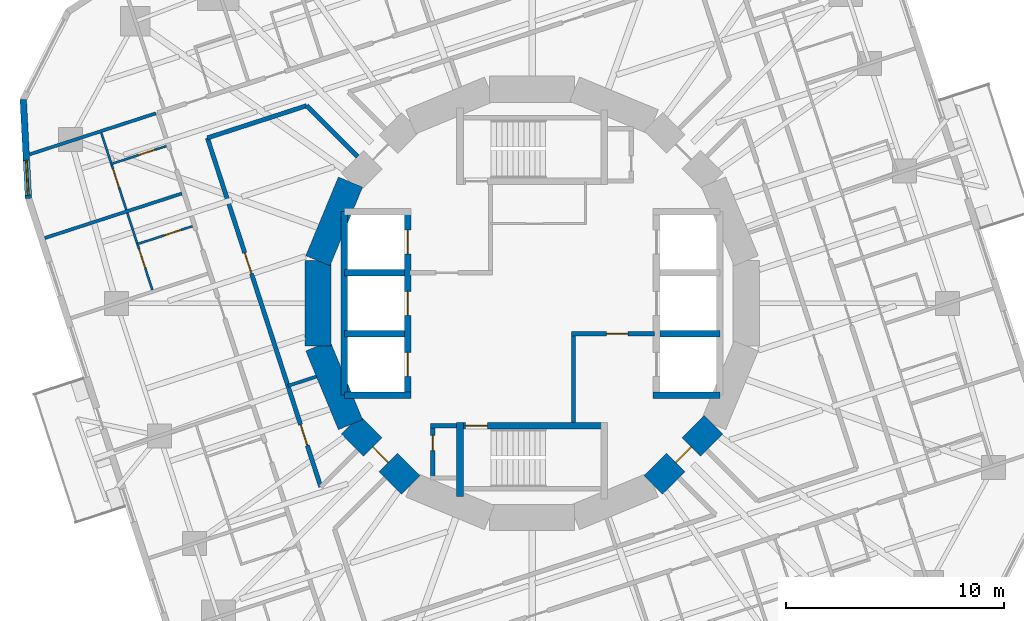
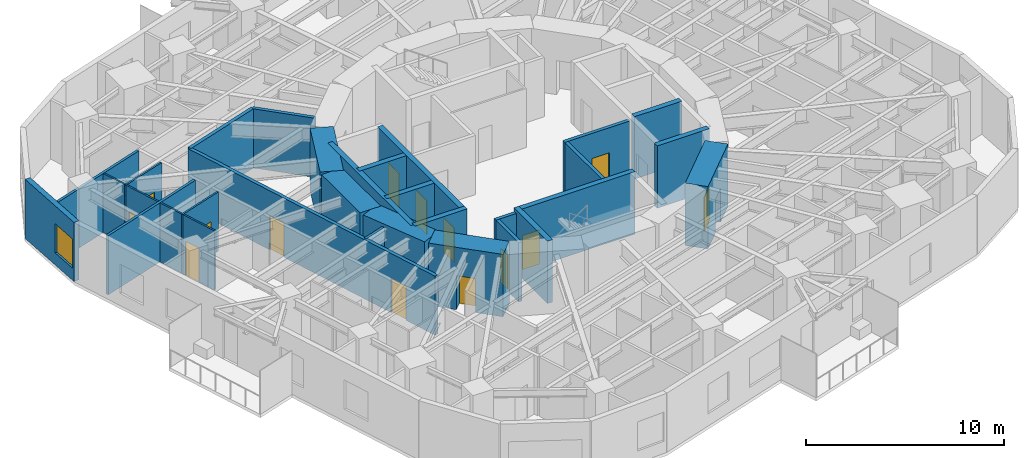
# One storey, part 6 of 12: 31 walls, 14 doors, 1 window, 15 openings.
"""IFC4 building model written with IfcOpenShell, lengths in metres."""

from ifc_helpers import new_model, si_unit, direction, frame, frame_2d, origin, place, context, subcontext, project, spatial, rectangle, extrude, material, layer, layer_set, type_object, element, fill, save


model = new_model("IFC4")

# Units and contexts
model_context = context("Model", 3, precision=1e-05, world=origin(), true_north=direction((0.0, 1.0)))
body_context = subcontext(model_context, "Body", "Model", "MODEL_VIEW")
ifc_project = project(units=[si_unit("LENGTHUNIT", "METRE"), si_unit("AREAUNIT", "SQUARE_METRE"), si_unit("VOLUMEUNIT", "CUBIC_METRE"), si_unit("PLANEANGLEUNIT", "RADIAN"), si_unit("MASSUNIT", "GRAM", prefix="KILO")], contexts=[model_context])

# Site, building, storey
site_placement = place(None, origin())
site = spatial("IfcSite", under=ifc_project, at=site_placement, CompositionType="ELEMENT")
building_placement = place(site_placement, origin())
building = spatial("IfcBuilding", under=site, at=building_placement, Name="Nakasero Lantern House", CompositionType="ELEMENT")
storey_placement = place(building_placement, frame((0.0, 0.0, 149.5)))
storey = spatial("IfcBuildingStorey", under=building, at=storey_placement, Name="L36", CompositionType="ELEMENT", Elevation=149.5)

# Wall, openings, doors
ifc_material_1 = material(Name="Concrete C50/60", Category="concrete")
ifc_layer_1 = layer(ifc_material_1, 0.300048828125)
ifc_layer_set_1 = layer_set([ifc_layer_1], Name="Core inner wall 300")
wall_type_1 = type_object("IfcWallType", Name="Core inner wall 300", PredefinedType="SHEAR", material=ifc_layer_set_1)
wall_1_placement = place(storey_placement, frame((-5.699951171875, -4.199951171875, 0.0), z_axis=(0.0, 0.0, 1.0), x_axis=(0.0, 1.0, 0.0)))
wall_1 = element("IfcWall", 1, at=wall_1_placement, inside=storey, type_object=wall_type_1, Name="Core inner wall L36 LW", PredefinedType="SHEAR", context=body_context, shape_type="SweptSolid", body=[
    extrude(rectangle(XDim=8.39990234375, YDim=0.300048828125, at=frame_2d((4.199951171875, 0.0))), origin(), (0.0, 0.0, 1.0), 3.85009765625),
])
opening_1_placement = place(wall_1_placement, frame((0.85009765625, 0.0, 0.0)))
opening_1 = element("IfcOpeningElement", 2, at=opening_1_placement, cuts=wall_1, Name="Opening LD", PredefinedType="OPENING", context=body_context, shape_type="SweptSolid", body=[
    extrude(rectangle(XDim=1.10009765625, YDim=2.10009765625, at=frame_2d((0.550048828125, 1.050048828125))), frame((0.0, 0.169921875, 0.0), z_axis=(0.0, -1.0, 0.0), x_axis=(1.0, 0.0, 0.0)), (0.0, 0.0, 1.0), 0.340087890625),
])
opening_2_placement = place(wall_1_placement, frame((3.64990234375, 0.0, 0.0)))
opening_2 = element("IfcOpeningElement", 3, at=opening_2_placement, cuts=wall_1, Name="Opening LD", PredefinedType="OPENING", context=body_context, shape_type="SweptSolid", body=[
    extrude(rectangle(XDim=1.10009765625, YDim=2.10009765625, at=frame_2d((0.550048828125, 1.050048828125))), frame((0.0, 0.169921875, 0.0), z_axis=(0.0, -1.0, 0.0), x_axis=(1.0, 0.0, 0.0)), (0.0, 0.0, 1.0), 0.340087890625),
])
opening_3_placement = place(wall_1_placement, frame((6.449951171875, 0.0, 0.0)))
opening_3 = element("IfcOpeningElement", 4, at=opening_3_placement, cuts=wall_1, Name="Opening LD", PredefinedType="OPENING", context=body_context, shape_type="SweptSolid", body=[
    extrude(rectangle(XDim=1.10009765625, YDim=2.10009765625, at=frame_2d((0.550048828125, 1.050048828125))), frame((0.0, 0.169921875, 0.0), z_axis=(0.0, -1.0, 0.0), x_axis=(1.0, 0.0, 0.0)), (0.0, 0.0, 1.0), 0.340087890625),
])
ifc_material_2 = material(Name="Steel S355", Category="steel")
door_type_1 = type_object("IfcDoorType", Name="Lift landing door E120 1100", OperationType="SLIDING_TO_LEFT", PredefinedType="DOOR", material=ifc_material_2)
door_1_placement = place(opening_1_placement, origin())
door_1 = element("IfcDoor", 5, at=door_1_placement, inside=storey, type_object=door_type_1, Name="Lift landing door LW1", OperationType="SLIDING_TO_LEFT", OverallHeight=2.10009765625, OverallWidth=1.10009765625, PredefinedType="DOOR", context=body_context, shape_type="SweptSolid", body=[
    extrude(rectangle(XDim=1.10009765625, YDim=2.10009765625, at=frame_2d((0.550048828125, 1.050048828125))), frame((0.0, 0.02490234375, 0.0), z_axis=(0.0, -1.0, 0.0), x_axis=(1.0, 0.0, 0.0)), (0.0, 0.0, 1.0), 0.050048828125),
])
fill(opening_1, door_1)
door_2_placement = place(opening_2_placement, origin())
door_2 = element("IfcDoor", 6, at=door_2_placement, inside=storey, type_object=door_type_1, Name="Lift landing door LW2", OperationType="SLIDING_TO_LEFT", OverallHeight=2.10009765625, OverallWidth=1.10009765625, PredefinedType="DOOR", context=body_context, shape_type="SweptSolid", body=[
    extrude(rectangle(XDim=1.10009765625, YDim=2.10009765625, at=frame_2d((0.550048828125, 1.050048828125))), frame((0.0, 0.02490234375, 0.0), z_axis=(0.0, -1.0, 0.0), x_axis=(1.0, 0.0, 0.0)), (0.0, 0.0, 1.0), 0.050048828125),
])
fill(opening_2, door_2)
door_3_placement = place(opening_3_placement, origin())
door_3 = element("IfcDoor", 7, at=door_3_placement, inside=storey, type_object=door_type_1, Name="Lift landing door LW3", OperationType="SLIDING_TO_LEFT", OverallHeight=2.10009765625, OverallWidth=1.10009765625, PredefinedType="DOOR", context=body_context, shape_type="SweptSolid", body=[
    extrude(rectangle(XDim=1.10009765625, YDim=2.10009765625, at=frame_2d((0.550048828125, 1.050048828125))), frame((0.0, 0.02490234375, 0.0), z_axis=(0.0, -1.0, 0.0), x_axis=(1.0, 0.0, 0.0)), (0.0, 0.0, 1.0), 0.050048828125),
])
fill(opening_3, door_3)

# Walls
for number, where, z_axis, x_axis, name in (
    (8, (-8.60009765625, -4.199951171875, 0.0), (0.0, 0.0, 1.0), (1.0, 0.0, 0.0), "Core inner wall L36 LWS"),
    (9, (5.550048828125, -4.199951171875, 0.0), (0.0, 0.0, 1.0), (1.0, 0.0, 0.0), "Core inner wall L36 LES"),
):
    element("IfcWall", number, at=place(storey_placement, frame(where, z_axis=z_axis, x_axis=x_axis)), inside=storey, type_object=wall_type_1, Name=name, PredefinedType="SHEAR", context=body_context, shape_type="SweptSolid", body=[
        extrude(rectangle(XDim=3.050048828125, YDim=0.300048828125, at=frame_2d((1.52490234375, 0.0))), origin(), (0.0, 0.0, 1.0), 3.85009765625),
    ])
wall_2_placement = place(storey_placement, frame((-8.60009765625, -4.199951171875, 0.0), z_axis=(0.0, 0.0, 1.0), x_axis=(0.0, 1.0, 0.0)))
element("IfcWall", 10, at=wall_2_placement, inside=storey, type_object=wall_type_1, Name="Core inner wall L36 LWB", PredefinedType="SHEAR", context=body_context, shape_type="SweptSolid", body=[
    extrude(rectangle(XDim=8.39990234375, YDim=0.300048828125, at=frame_2d((4.199951171875, 0.0))), origin(), (0.0, 0.0, 1.0), 3.85009765625),
])
for number, where, z_axis, x_axis, name in (
    (11, (-8.60009765625, -1.39990234375, 0.0), (0.0, 0.0, 1.0), (1.0, 0.0, 0.0), "Core inner wall L36 LW1"),
    (12, (-8.60009765625, 1.39990234375, 0.0), (0.0, 0.0, 1.0), (1.0, 0.0, 0.0), "Core inner wall L36 LW2"),
    (13, (5.85009765625, -1.39990234375, 0.0), (0.0, 0.0, 1.0), (1.0, 0.0, 0.0), "Core inner wall L36 LE1"),
):
    element("IfcWall", number, at=place(storey_placement, frame(where, z_axis=z_axis, x_axis=x_axis)), inside=storey, type_object=wall_type_1, Name=name, PredefinedType="SHEAR", context=body_context, shape_type="SweptSolid", body=[
        extrude(rectangle(XDim=2.75, YDim=0.300048828125, at=frame_2d((1.375, 0.0))), origin(), (0.0, 0.0, 1.0), 3.85009765625),
    ])

# Wall, opening, door
wall_3_placement = place(storey_placement, frame((-3.449951171875, -5.60009765625, 0.0), z_axis=(0.0, 0.0, 1.0), x_axis=(1.0, 0.0, 0.0)))
wall_3 = element("IfcWall", 14, at=wall_3_placement, inside=storey, type_object=wall_type_1, Name="Core inner wall L36 SS", PredefinedType="SHEAR", context=body_context, shape_type="SweptSolid", body=[
    extrude(rectangle(XDim=6.89990234375, YDim=0.300048828125, at=frame_2d((3.449951171875, 0.0))), origin(), (0.0, 0.0, 1.0), 3.85009765625),
])
opening_4_placement = place(wall_3_placement, frame((0.39990234375, 0.0, 0.0)))
opening_4 = element("IfcOpeningElement", 15, at=opening_4_placement, cuts=wall_3, Name="Opening D05", PredefinedType="OPENING", context=body_context, shape_type="SweptSolid", body=[
    extrude(rectangle(XDim=1.0, YDim=2.10009765625, at=frame_2d((0.5, 1.050048828125))), frame((0.0, 0.169921875, 0.0), z_axis=(0.0, -1.0, 0.0), x_axis=(1.0, 0.0, 0.0)), (0.0, 0.0, 1.0), 0.340087890625),
])
ifc_material_3 = material(Name="Timber C24", Category="wood")
door_type_2 = type_object("IfcDoorType", Name="Core door FD60S 1000", OperationType="SINGLE_SWING_LEFT", PredefinedType="DOOR", material=ifc_material_3)
door_4_placement = place(opening_4_placement, origin())
door_4 = element("IfcDoor", 16, at=door_4_placement, inside=storey, type_object=door_type_2, Name="Door L36 D-ST2", OperationType="SINGLE_SWING_LEFT", OverallHeight=2.10009765625, OverallWidth=1.0, PredefinedType="DOOR", context=body_context, shape_type="SweptSolid", body=[
    extrude(rectangle(XDim=1.0, YDim=2.10009765625, at=frame_2d((0.5, 1.050048828125))), frame((0.0, 0.02490234375, 0.0), z_axis=(0.0, -1.0, 0.0), x_axis=(1.0, 0.0, 0.0)), (0.0, 0.0, 1.0), 0.050048828125),
])
fill(opening_4, door_4)

# Walls
wall_4_placement = place(storey_placement, frame((-3.300048828125, -5.449951171875, 0.0), z_axis=(0.0, 0.0, 1.0), x_axis=(0.0, -1.0, 0.0)))
element("IfcWall", 17, at=wall_4_placement, inside=storey, type_object=wall_type_1, Name="Core inner wall L36 SSW", PredefinedType="SHEAR", context=body_context, shape_type="SweptSolid", body=[
    extrude(rectangle(XDim=3.400146484375, YDim=0.300048828125, at=frame_2d((1.7001953125, 0.0))), origin(), (0.0, 0.0, 1.0), 3.85009765625),
])
ifc_material_4 = material(Name="Concrete C50/60", Category="concrete")
ifc_layer_2 = layer(ifc_material_4, 1.199951171875)
ifc_layer_set_2 = layer_set([ifc_layer_2], Name="Core wall 1200")
wall_type_2 = type_object("IfcWallType", Name="Core wall 1200", PredefinedType="SHEAR", material=ifc_layer_set_2)
for number, where, z_axis, x_axis, name in (
    (18, (-8.314697265625, 5.5556640625, 0.0), (0.0, 0.0, 1.0), (-0.382690736062, -0.923876507187, 0.0), "Core wall L36 facet 7"),
    (19, (-9.807861328125, 1.950927734375, 0.0), (0.0, 0.0, 1.0), (0.0, -1.0, 0.0), "Core wall L36 facet 8"),
    (20, (-9.807861328125, -1.950927734375, 0.0), (0.0, 0.0, 1.0), (0.382690736062, -0.923876507187, 0.0), "Core wall L36 facet 9"),
):
    element("IfcWall", number, at=place(storey_placement, frame(where, z_axis=z_axis, x_axis=x_axis)), inside=storey, type_object=wall_type_2, Name=name, PredefinedType="SHEAR", context=body_context, shape_type="SweptSolid", body=[
        extrude(rectangle(XDim=3.90185546875, YDim=1.199951171875, at=frame_2d((1.950927734375, 0.0))), origin(), (0.0, 0.0, 1.0), 3.85009765625),
    ])

# Wall, opening, door
wall_5_placement = place(storey_placement, frame((-8.314697265625, -5.5556640625, 0.0), z_axis=(0.0, 0.0, 1.0), x_axis=(0.707106781187, -0.707106781187, 0.0)))
wall_5 = element("IfcWall", 21, at=wall_5_placement, inside=storey, type_object=wall_type_2, Name="Core wall L36 facet 10", PredefinedType="SHEAR", context=body_context, shape_type="SweptSolid", body=[
    extrude(rectangle(XDim=3.90185546875, YDim=1.199951171875, at=frame_2d((1.950927734375, 0.0))), origin(), (0.0, 0.0, 1.0), 3.85009765625),
])
opening_5_placement = place(wall_5_placement, frame((1.450927734375, 0.0, 0.0)))
opening_5 = element("IfcOpeningElement", 22, at=opening_5_placement, cuts=wall_5, Name="Opening D05", PredefinedType="OPENING", context=body_context, shape_type="SweptSolid", body=[
    extrude(rectangle(XDim=1.0, YDim=2.10009765625, at=frame_2d((0.5, 1.050048828125))), frame((0.0, 0.619873046875, 0.0), z_axis=(0.0, -1.0, 0.0), x_axis=(1.0, 0.0, 0.0)), (0.0, 0.0, 1.0), 1.239990234375),
])
door_5_placement = place(opening_5_placement, origin())
door_5 = element("IfcDoor", 23, at=door_5_placement, inside=storey, type_object=door_type_2, Name="Door L36 D-CORE10", OperationType="SINGLE_SWING_LEFT", OverallHeight=2.10009765625, OverallWidth=1.0, PredefinedType="DOOR", context=body_context, shape_type="SweptSolid", body=[
    extrude(rectangle(XDim=1.0, YDim=2.10009765625, at=frame_2d((0.5, 1.050048828125))), frame((0.0, 0.02490234375, 0.0), z_axis=(0.0, -1.0, 0.0), x_axis=(1.0, 0.0, 0.0)), (0.0, 0.0, 1.0), 0.050048828125),
])
fill(opening_5, door_5)

wall_6_placement = place(storey_placement, frame((5.5556640625, -8.314697265625, 0.0), z_axis=(0.0, 0.0, 1.0), x_axis=(0.707106781187, 0.707106781187, 0.0)))
wall_6 = element("IfcWall", 24, at=wall_6_placement, inside=storey, type_object=wall_type_2, Name="Core wall L36 facet 14", PredefinedType="SHEAR", context=body_context, shape_type="SweptSolid", body=[
    extrude(rectangle(XDim=3.90185546875, YDim=1.199951171875, at=frame_2d((1.950927734375, 0.0))), origin(), (0.0, 0.0, 1.0), 3.85009765625),
])
opening_6_placement = place(wall_6_placement, frame((1.450927734375, 0.0, 0.0)))
opening_6 = element("IfcOpeningElement", 25, at=opening_6_placement, cuts=wall_6, Name="Opening D05", PredefinedType="OPENING", context=body_context, shape_type="SweptSolid", body=[
    extrude(rectangle(XDim=1.0, YDim=2.10009765625, at=frame_2d((0.5, 1.050048828125))), frame((0.0, 0.619873046875, 0.0), z_axis=(0.0, -1.0, 0.0), x_axis=(1.0, 0.0, 0.0)), (0.0, 0.0, 1.0), 1.239990234375),
])
door_6_placement = place(opening_6_placement, origin())
door_6 = element("IfcDoor", 26, at=door_6_placement, inside=storey, type_object=door_type_2, Name="Door L36 D-CORE14", OperationType="SINGLE_SWING_LEFT", OverallHeight=2.10009765625, OverallWidth=1.0, PredefinedType="DOOR", context=body_context, shape_type="SweptSolid", body=[
    extrude(rectangle(XDim=1.0, YDim=2.10009765625, at=frame_2d((0.5, 1.050048828125))), frame((0.0, 0.02490234375, 0.0), z_axis=(0.0, -1.0, 0.0), x_axis=(1.0, 0.0, 0.0)), (0.0, 0.0, 1.0), 0.050048828125),
])
fill(opening_6, door_6)

# Wall
ifc_material_5 = material(Name="Blockwork", Category="masonry")
ifc_layer_3 = layer(ifc_material_5, 0.199951171875)
ifc_layer_set_3 = layer_set([ifc_layer_3], Name="Corridor wall 200")
wall_type_3 = type_object("IfcWallType", Name="Corridor wall 200", PredefinedType="PARTITIONING", material=ifc_layer_set_3)
wall_7_placement = place(storey_placement, frame((-10.3251953125, 9.052490234375, 0.0), z_axis=(0.0, 0.0, 1.0), x_axis=(-0.951057724773, -0.309013275037, 0.0)))
element("IfcWall", 27, at=wall_7_placement, inside=storey, type_object=wall_type_3, Name="Corridor wall L36 IW1-1", PredefinedType="PARTITIONING", context=body_context, shape_type="SweptSolid", body=[
    extrude(rectangle(XDim=4.777587890625, YDim=0.199951171875, at=frame_2d((2.388671875, 0.0))), origin(), (0.0, 0.0, 1.0), 3.64990234375),
])

# Wall, openings, doors
wall_8_placement = place(storey_placement, frame((-14.868896484375, 7.576171875, 0.0), z_axis=(0.0, 0.0, 1.0), x_axis=(0.309013133095, -0.951057770893, 0.0)))
wall_8 = element("IfcWall", 28, at=wall_8_placement, inside=storey, type_object=wall_type_3, Name="Corridor wall L36 IW2-0", PredefinedType="PARTITIONING", context=body_context, shape_type="SweptSolid", body=[
    extrude(rectangle(XDim=16.80224609375, YDim=0.199951171875, at=frame_2d((8.401123046875, 0.0))), origin(), (0.0, 0.0, 1.0), 3.64990234375),
])
opening_7_placement = place(wall_8_placement, frame((13.80859375, 0.0, 0.0)))
opening_7 = element("IfcOpeningElement", 29, at=opening_7_placement, cuts=wall_8, Name="Opening D07", PredefinedType="OPENING", context=body_context, shape_type="SweptSolid", body=[
    extrude(rectangle(XDim=1.0, YDim=2.10009765625, at=frame_2d((0.5, 1.050048828125))), frame((0.0, 0.119873046875, 0.0), z_axis=(0.0, -1.0, 0.0), x_axis=(1.0, 0.0, 0.0)), (0.0, 0.0, 1.0), 0.239990234375),
])
opening_8_placement = place(wall_8_placement, frame((5.532470703125, 0.0, 0.0)))
opening_8 = element("IfcOpeningElement", 30, at=opening_8_placement, cuts=wall_8, Name="Opening D07", PredefinedType="OPENING", context=body_context, shape_type="SweptSolid", body=[
    extrude(rectangle(XDim=1.0, YDim=2.10009765625, at=frame_2d((0.5, 1.050048828125))), frame((0.0, 0.119873046875, 0.0), z_axis=(0.0, -1.0, 0.0), x_axis=(1.0, 0.0, 0.0)), (0.0, 0.0, 1.0), 0.239990234375),
])
ifc_material_6 = material(Name="Timber C24", Category="wood")
door_type_3 = type_object("IfcDoorType", Name="Room door FD30S 1000", OperationType="SINGLE_SWING_LEFT", PredefinedType="DOOR", material=ifc_material_6)
door_7_placement = place(opening_7_placement, origin())
door_7 = element("IfcDoor", 31, at=door_7_placement, inside=storey, type_object=door_type_3, Name="Door L36 DI1", OperationType="SINGLE_SWING_RIGHT", OverallHeight=2.10009765625, OverallWidth=1.0, PredefinedType="DOOR", context=body_context, shape_type="SweptSolid", body=[
    extrude(rectangle(XDim=1.0, YDim=2.10009765625, at=frame_2d((0.5, 1.050048828125))), frame((0.0, 0.02490234375, 0.0), z_axis=(0.0, -1.0, 0.0), x_axis=(1.0, 0.0, 0.0)), (0.0, 0.0, 1.0), 0.050048828125),
])
fill(opening_7, door_7)
door_8_placement = place(opening_8_placement, origin())
door_8 = element("IfcDoor", 32, at=door_8_placement, inside=storey, type_object=door_type_3, Name="Door L36 DI8", OperationType="SINGLE_SWING_LEFT", OverallHeight=2.10009765625, OverallWidth=1.0, PredefinedType="DOOR", context=body_context, shape_type="SweptSolid", body=[
    extrude(rectangle(XDim=1.0, YDim=2.10009765625, at=frame_2d((0.5, 1.050048828125))), frame((0.0, 0.02490234375, 0.0), z_axis=(0.0, -1.0, 0.0), x_axis=(1.0, 0.0, 0.0)), (0.0, 0.0, 1.0), 0.050048828125),
])
fill(opening_8, door_8)

# Wall
wall_9_placement = place(storey_placement, frame((-7.995849609375, 6.72314453125, 0.0), z_axis=(0.0, 0.0, 1.0), x_axis=(-0.707106781187, 0.707106781187, 0.0)))
element("IfcWall", 33, at=wall_9_placement, inside=storey, type_object=wall_type_3, Name="Corridor wall L36 PS06a", PredefinedType="PARTITIONING", context=body_context, shape_type="SweptSolid", body=[
    extrude(rectangle(XDim=3.294189453125, YDim=0.199951171875, at=frame_2d((1.64697265625, 0.0))), origin(), (0.0, 0.0, 1.0), 3.64990234375),
])

# Wall, opening, door
ifc_material_7 = material(Name="Blockwork", Category="masonry")
ifc_layer_4 = layer(ifc_material_7, 0.10009765625)
ifc_layer_set_4 = layer_set([ifc_layer_4], Name="En-suite wall 100")
wall_type_4 = type_object("IfcWallType", Name="En-suite wall 100", PredefinedType="PARTITIONING", material=ifc_layer_set_4)
wall_10_placement = place(storey_placement, frame((-16.745361328125, 7.202880859375, 0.0), z_axis=(0.0, 0.0, 1.0), x_axis=(-0.951069945308, -0.308975661068, 0.0)))
wall_10 = element("IfcWall", 34, at=wall_10_placement, inside=storey, type_object=wall_type_4, Name="En-suite wall L36 ES2-00", PredefinedType="PARTITIONING", context=body_context, shape_type="SweptSolid", body=[
    extrude(rectangle(XDim=2.699951171875, YDim=0.10009765625, at=frame_2d((1.35009765625, 0.0))), origin(), (0.0, 0.0, 1.0), 3.64990234375),
])
opening_9_placement = place(wall_10_placement, frame((0.550048828125, 0.0, 0.0)))
opening_9 = element("IfcOpeningElement", 35, at=opening_9_placement, cuts=wall_10, Name="Opening D02", PredefinedType="OPENING", context=body_context, shape_type="SweptSolid", body=[
    extrude(rectangle(XDim=0.800048828125, YDim=2.10009765625, at=frame_2d((0.39990234375, 1.050048828125))), frame((0.0, 0.070068359375, 0.0), z_axis=(0.0, -1.0, 0.0), x_axis=(1.0, 0.0, 0.0)), (0.0, 0.0, 1.0), 0.14013671875),
])
ifc_material_8 = material(Name="Timber C24", Category="wood")
door_type_4 = type_object("IfcDoorType", Name="En-suite door 800", OperationType="SINGLE_SWING_RIGHT", PredefinedType="DOOR", material=ifc_material_8)
door_9_placement = place(opening_9_placement, origin())
door_9 = element("IfcDoor", 36, at=door_9_placement, inside=storey, type_object=door_type_4, Name="Door L36 DE2-00", OperationType="SINGLE_SWING_LEFT", OverallHeight=2.10009765625, OverallWidth=0.800048828125, PredefinedType="DOOR", context=body_context, shape_type="SweptSolid", body=[
    extrude(rectangle(XDim=0.800048828125, YDim=2.10009765625, at=frame_2d((0.39990234375, 1.050048828125))), frame((0.0, 0.02490234375, 0.0), z_axis=(0.0, -1.0, 0.0), x_axis=(1.0, 0.0, 0.0)), (0.0, 0.0, 1.0), 0.050048828125),
])
fill(opening_9, door_9)

# Wall
wall_11_placement = place(storey_placement, frame((-19.729248046875, 7.810546875, 0.0), z_axis=(0.0, 0.0, 1.0), x_axis=(0.308994689397, -0.951063763333, 0.0)))
element("IfcWall", 37, at=wall_11_placement, inside=storey, type_object=wall_type_4, Name="En-suite wall L36 EE2-00", PredefinedType="PARTITIONING", context=body_context, shape_type="SweptSolid", body=[
    extrude(rectangle(XDim=1.449951171875, YDim=0.10009765625, at=frame_2d((0.72509765625, 0.0))), origin(), (0.0, 0.0, 1.0), 3.64990234375),
])

# Wall, opening, door
wall_12_placement = place(storey_placement, frame((-15.552734375, 3.5322265625, 0.0), z_axis=(0.0, 0.0, 1.0), x_axis=(-0.951069945308, -0.308975661068, 0.0)))
wall_12 = element("IfcWall", 38, at=wall_12_placement, inside=storey, type_object=wall_type_4, Name="En-suite wall L36 ES2-01", PredefinedType="PARTITIONING", context=body_context, shape_type="SweptSolid", body=[
    extrude(rectangle(XDim=2.699951171875, YDim=0.10009765625, at=frame_2d((1.35009765625, 0.0))), origin(), (0.0, 0.0, 1.0), 3.64990234375),
])
opening_10_placement = place(wall_12_placement, frame((0.550048828125, 0.0, 0.0)))
opening_10 = element("IfcOpeningElement", 39, at=opening_10_placement, cuts=wall_12, Name="Opening D02", PredefinedType="OPENING", context=body_context, shape_type="SweptSolid", body=[
    extrude(rectangle(XDim=0.800048828125, YDim=2.10009765625, at=frame_2d((0.39990234375, 1.050048828125))), frame((0.0, 0.070068359375, 0.0), z_axis=(0.0, -1.0, 0.0), x_axis=(1.0, 0.0, 0.0)), (0.0, 0.0, 1.0), 0.14013671875),
])
door_10_placement = place(opening_10_placement, origin())
door_10 = element("IfcDoor", 40, at=door_10_placement, inside=storey, type_object=door_type_4, Name="Door L36 DE2-01", OperationType="SINGLE_SWING_LEFT", OverallHeight=2.10009765625, OverallWidth=0.800048828125, PredefinedType="DOOR", context=body_context, shape_type="SweptSolid", body=[
    extrude(rectangle(XDim=0.800048828125, YDim=2.10009765625, at=frame_2d((0.39990234375, 1.050048828125))), frame((0.0, 0.02490234375, 0.0), z_axis=(0.0, -1.0, 0.0), x_axis=(1.0, 0.0, 0.0)), (0.0, 0.0, 1.0), 0.050048828125),
])
fill(opening_10, door_10)

# Wall
wall_13_placement = place(storey_placement, frame((-18.53662109375, 4.14013671875, 0.0), z_axis=(0.0, 0.0, 1.0), x_axis=(0.308945211672, -0.951079836914, 0.0)))
element("IfcWall", 41, at=wall_13_placement, inside=storey, type_object=wall_type_4, Name="En-suite wall L36 EE2-01", PredefinedType="PARTITIONING", context=body_context, shape_type="SweptSolid", body=[
    extrude(rectangle(XDim=1.4501953125, YDim=0.10009765625, at=frame_2d((0.72509765625, 0.0))), origin(), (0.0, 0.0, 1.0), 3.64990234375),
])

# Wall, opening, door
wall_14_placement = place(storey_placement, frame((-19.250244140625, 6.33642578125, 0.0), z_axis=(0.0, 0.0, 1.0), x_axis=(0.308994037562, -0.951063975109, 0.0)))
wall_14 = element("IfcWall", 42, at=wall_14_placement, inside=storey, type_object=wall_type_4, Name="En-suite wall L36 EL2-00", PredefinedType="PARTITIONING", context=body_context, shape_type="SweptSolid", body=[
    extrude(rectangle(XDim=2.159423828125, YDim=0.10009765625, at=frame_2d((1.07958984375, 0.0))), origin(), (0.0, 0.0, 1.0), 3.64990234375),
])
opening_11_placement = place(wall_14_placement, frame((0.199951171875, 0.0, 0.0)))
opening_11 = element("IfcOpeningElement", 43, at=opening_11_placement, cuts=wall_14, Name="Opening D17", PredefinedType="OPENING", context=body_context, shape_type="SweptSolid", body=[
    extrude(rectangle(XDim=0.89990234375, YDim=2.10009765625, at=frame_2d((0.449951171875, 1.050048828125))), frame((0.0, 0.070068359375, 0.0), z_axis=(0.0, -1.0, 0.0), x_axis=(1.0, 0.0, 0.0)), (0.0, 0.0, 1.0), 0.14013671875),
])
ifc_material_9 = material(Name="Timber C24", Category="wood")
door_type_5 = type_object("IfcDoorType", Name="Bedroom door FD30S 900", OperationType="SINGLE_SWING_LEFT", PredefinedType="DOOR", material=ifc_material_9)
door_11_placement = place(opening_11_placement, origin())
door_11 = element("IfcDoor", 44, at=door_11_placement, inside=storey, type_object=door_type_5, Name="Door L36 DL2-00", OperationType="SINGLE_SWING_LEFT", OverallHeight=2.10009765625, OverallWidth=0.89990234375, PredefinedType="DOOR", context=body_context, shape_type="SweptSolid", body=[
    extrude(rectangle(XDim=0.89990234375, YDim=2.10009765625, at=frame_2d((0.449951171875, 1.050048828125))), frame((0.0, 0.02490234375, 0.0), z_axis=(0.0, -1.0, 0.0), x_axis=(1.0, 0.0, 0.0)), (0.0, 0.0, 1.0), 0.050048828125),
])
fill(opening_11, door_11)

wall_15_placement = place(storey_placement, frame((-18.0576171875, 2.665771484375, 0.0), z_axis=(0.0, 0.0, 1.0), x_axis=(0.308994037562, -0.951063975109, 0.0)))
wall_15 = element("IfcWall", 45, at=wall_15_placement, inside=storey, type_object=wall_type_4, Name="En-suite wall L36 EL2-01", PredefinedType="PARTITIONING", context=body_context, shape_type="SweptSolid", body=[
    extrude(rectangle(XDim=2.159423828125, YDim=0.10009765625, at=frame_2d((1.07958984375, 0.0))), origin(), (0.0, 0.0, 1.0), 3.64990234375),
])
opening_12_placement = place(wall_15_placement, frame((0.199951171875, 0.0, 0.0)))
opening_12 = element("IfcOpeningElement", 46, at=opening_12_placement, cuts=wall_15, Name="Opening D17", PredefinedType="OPENING", context=body_context, shape_type="SweptSolid", body=[
    extrude(rectangle(XDim=0.89990234375, YDim=2.10009765625, at=frame_2d((0.449951171875, 1.050048828125))), frame((0.0, 0.070068359375, 0.0), z_axis=(0.0, -1.0, 0.0), x_axis=(1.0, 0.0, 0.0)), (0.0, 0.0, 1.0), 0.14013671875),
])
door_12_placement = place(opening_12_placement, origin())
door_12 = element("IfcDoor", 47, at=door_12_placement, inside=storey, type_object=door_type_5, Name="Door L36 DL2-01", OperationType="SINGLE_SWING_LEFT", OverallHeight=2.10009765625, OverallWidth=0.89990234375, PredefinedType="DOOR", context=body_context, shape_type="SweptSolid", body=[
    extrude(rectangle(XDim=0.89990234375, YDim=2.10009765625, at=frame_2d((0.449951171875, 1.050048828125))), frame((0.0, 0.02490234375, 0.0), z_axis=(0.0, -1.0, 0.0), x_axis=(1.0, 0.0, 0.0)), (0.0, 0.0, 1.0), 0.050048828125),
])
fill(opening_12, door_12)

# Wall, opening, window
ifc_material_10 = material(Name="Aluminium rainscreen on blockwork", Category="masonry")
ifc_layer_5 = layer(ifc_material_10, 0.300048828125)
ifc_layer_set_5 = layer_set([ifc_layer_5], Name="Facade wall 300")
wall_type_5 = type_object("IfcWallType", Name="Facade wall 300", PredefinedType="SOLIDWALL", material=ifc_layer_set_5)
wall_16_placement = place(storey_placement, frame((-23.3017578125, 9.3310546875, 0.0), z_axis=(0.0, 0.0, 1.0), x_axis=(0.052338164079, -0.998629419044, 0.0)))
wall_16 = element("IfcWall", 48, at=wall_16_placement, inside=storey, type_object=wall_type_5, Name="Facade wall L36 FW1C3", PredefinedType="SOLIDWALL", context=body_context, shape_type="SweptSolid", body=[
    extrude(rectangle(XDim=4.529296875, YDim=0.300048828125, at=frame_2d((2.2646484375, 0.0))), origin(), (0.0, 0.0, 1.0), 3.64990234375),
])
opening_13_placement = place(wall_16_placement, frame((2.784912109375, 0.0, 0.75)))
opening_13 = element("IfcOpeningElement", 49, at=opening_13_placement, cuts=wall_16, Name="Opening W01", PredefinedType="OPENING", context=body_context, shape_type="SweptSolid", body=[
    extrude(rectangle(XDim=1.60009765625, YDim=1.800048828125, at=frame_2d((0.800048828125, 0.89990234375))), frame((0.0, 0.169921875, 0.0), z_axis=(0.0, -1.0, 0.0), x_axis=(1.0, 0.0, 0.0)), (0.0, 0.0, 1.0), 0.340087890625),
])
ifc_material_11 = material(Name="Aluminium 6063-T6 and glass", Category="aluminium")
window_type = type_object("IfcWindowType", Name="Bedroom window 1600x1800", PartitioningType="SINGLE_PANEL", PredefinedType="WINDOW", material=ifc_material_11)
window_placement = place(opening_13_placement, origin())
window = element("IfcWindow", 50, at=window_placement, inside=storey, type_object=window_type, Name="Window L36 WN2-00", OverallHeight=1.800048828125, OverallWidth=1.60009765625, PartitioningType="SINGLE_PANEL", PredefinedType="WINDOW", context=body_context, shape_type="SweptSolid", body=[
    extrude(rectangle(XDim=1.60009765625, YDim=1.800048828125, at=frame_2d((0.800048828125, 0.89990234375))), frame((0.0, 0.030029296875, 0.0), z_axis=(0.0, -1.0, 0.0), x_axis=(1.0, 0.0, 0.0)), (0.0, 0.0, 1.0), 0.06005859375),
])
fill(opening_13, window)

# Wall, opening, door
ifc_material_12 = material(Name="Blockwork", Category="masonry")
ifc_layer_6 = layer(ifc_material_12, 0.199951171875)
ifc_layer_set_6 = layer_set([ifc_layer_6], Name="Fire lobby wall 200")
wall_type_6 = type_object("IfcWallType", Name="Fire lobby wall 200", PredefinedType="PARTITIONING", material=ifc_layer_set_6)
wall_17_placement = place(storey_placement, frame((5.60009765625, -1.39990234375, 0.0), z_axis=(0.0, 0.0, 1.0), x_axis=(-1.0, 0.0, 0.0)))
wall_17 = element("IfcWall", 51, at=wall_17_placement, inside=storey, type_object=wall_type_6, Name="Fire lobby wall L36 W-FL2N", PredefinedType="PARTITIONING", context=body_context, shape_type="SweptSolid", body=[
    extrude(rectangle(XDim=3.800048828125, YDim=0.199951171875, at=frame_2d((1.89990234375, 0.0))), origin(), (0.0, 0.0, 1.0), 3.64990234375),
])
opening_14_placement = place(wall_17_placement, frame((1.199951171875, 0.0, 0.0)))
opening_14 = element("IfcOpeningElement", 52, at=opening_14_placement, cuts=wall_17, Name="Opening D05", PredefinedType="OPENING", context=body_context, shape_type="SweptSolid", body=[
    extrude(rectangle(XDim=1.0, YDim=2.10009765625, at=frame_2d((0.5, 1.050048828125))), frame((0.0, 0.119873046875, 0.0), z_axis=(0.0, -1.0, 0.0), x_axis=(1.0, 0.0, 0.0)), (0.0, 0.0, 1.0), 0.239990234375),
])
door_13_placement = place(opening_14_placement, origin())
door_13 = element("IfcDoor", 53, at=door_13_placement, inside=storey, type_object=door_type_2, Name="Door L36 D-FL2", OperationType="SINGLE_SWING_LEFT", OverallHeight=2.10009765625, OverallWidth=1.0, PredefinedType="DOOR", context=body_context, shape_type="SweptSolid", body=[
    extrude(rectangle(XDim=1.0, YDim=2.10009765625, at=frame_2d((0.5, 1.050048828125))), frame((0.0, 0.02490234375, 0.0), z_axis=(0.0, -1.0, 0.0), x_axis=(1.0, 0.0, 0.0)), (0.0, 0.0, 1.0), 0.050048828125),
])
fill(opening_14, door_13)

# Wall
wall_18_placement = place(storey_placement, frame((1.89990234375, -1.5, 0.0), z_axis=(0.0, 0.0, 1.0), x_axis=(0.0, -1.0, 0.0)))
element("IfcWall", 54, at=wall_18_placement, inside=storey, type_object=wall_type_6, Name="Fire lobby wall L36 W-FL2W", PredefinedType="PARTITIONING", context=body_context, shape_type="SweptSolid", body=[
    extrude(rectangle(XDim=3.949951171875, YDim=0.199951171875, at=frame_2d((1.97509765625, 0.0))), origin(), (0.0, 0.0, 1.0), 3.64990234375),
])

# Wall, opening, door
wall_19_placement = place(storey_placement, frame((-4.550048828125, -5.60009765625, 0.0), z_axis=(0.0, 0.0, 1.0), x_axis=(0.0, -1.0, 0.0)))
wall_19 = element("IfcWall", 55, at=wall_19_placement, inside=storey, type_object=wall_type_6, Name="Fire lobby wall L36 W-RS2W", PredefinedType="PARTITIONING", context=body_context, shape_type="SweptSolid", body=[
    extrude(rectangle(XDim=2.39990234375, YDim=0.199951171875, at=frame_2d((1.199951171875, 0.0))), origin(), (0.0, 0.0, 1.0), 3.64990234375),
])
opening_15_placement = place(wall_19_placement, frame((0.449951171875, 0.0, 0.0)))
opening_15 = element("IfcOpeningElement", 56, at=opening_15_placement, cuts=wall_19, Name="Opening D06", PredefinedType="OPENING", context=body_context, shape_type="SweptSolid", body=[
    extrude(rectangle(XDim=0.699951171875, YDim=2.10009765625, at=frame_2d((0.35009765625, 1.050048828125))), frame((0.0, 0.119873046875, 0.0), z_axis=(0.0, -1.0, 0.0), x_axis=(1.0, 0.0, 0.0)), (0.0, 0.0, 1.0), 0.239990234375),
])
ifc_material_13 = material(Name="Steel S355", Category="steel")
door_type_6 = type_object("IfcDoorType", Name="Riser door FD60 700", OperationType="SINGLE_SWING_LEFT", PredefinedType="DOOR", material=ifc_material_13)
door_14_placement = place(opening_15_placement, origin())
door_14 = element("IfcDoor", 57, at=door_14_placement, inside=storey, type_object=door_type_6, Name="Door L36 D-RS2", OperationType="SINGLE_SWING_LEFT", OverallHeight=2.10009765625, OverallWidth=0.699951171875, PredefinedType="DOOR", context=body_context, shape_type="SweptSolid", body=[
    extrude(rectangle(XDim=0.699951171875, YDim=2.10009765625, at=frame_2d((0.35009765625, 1.050048828125))), frame((0.0, 0.02490234375, 0.0), z_axis=(0.0, -1.0, 0.0), x_axis=(1.0, 0.0, 0.0)), (0.0, 0.0, 1.0), 0.050048828125),
])
fill(opening_15, door_14)

# Walls
wall_20_placement = place(storey_placement, frame((-3.449951171875, -5.60009765625, 0.0), z_axis=(0.0, 0.0, 1.0), x_axis=(-1.0, 0.0, 0.0)))
element("IfcWall", 58, at=wall_20_placement, inside=storey, type_object=wall_type_6, Name="Fire lobby wall L36 W-RS2N", PredefinedType="PARTITIONING", context=body_context, shape_type="SweptSolid", body=[
    extrude(rectangle(XDim=1.199951171875, YDim=0.199951171875, at=frame_2d((0.60009765625, 0.0))), origin(), (0.0, 0.0, 1.0), 3.64990234375),
])
ifc_material_14 = material(Name="Blockwork", Category="masonry")
ifc_layer_7 = layer(ifc_material_14, 0.14990234375)
ifc_layer_set_7 = layer_set([ifc_layer_7], Name="Party wall 150")
wall_type_7 = type_object("IfcWallType", Name="Party wall 150", PredefinedType="PARTITIONING", material=ifc_layer_set_7)
wall_21_placement = place(storey_placement, frame((-17.232177734375, 8.700927734375, 0.0), z_axis=(0.0, 0.0, 1.0), x_axis=(-0.951057081836, -0.309015253813, 0.0)))
element("IfcWall", 59, at=wall_21_placement, inside=storey, type_object=wall_type_7, Name="Party wall L36 PW2-00", PredefinedType="PARTITIONING", context=body_context, shape_type="SweptSolid", body=[
    extrude(rectangle(XDim=6.080322265625, YDim=0.14990234375, at=frame_2d((3.0400390625, 0.0))), origin(), (0.0, 0.0, 1.0), 3.64990234375),
])
wall_22_placement = place(storey_placement, frame((-16.03955078125, 5.0302734375, 0.0), z_axis=(0.0, 0.0, 1.0), x_axis=(-0.951053095941, -0.309027520945, 0.0)))
element("IfcWall", 60, at=wall_22_placement, inside=storey, type_object=wall_type_7, Name="Party wall L36 PW2-01", PredefinedType="PARTITIONING", context=body_context, shape_type="SweptSolid", body=[
    extrude(rectangle(XDim=6.599853515625, YDim=0.14990234375, at=frame_2d((3.2998046875, 0.0))), origin(), (0.0, 0.0, 1.0), 3.64990234375),
])
wall_23_placement = place(storey_placement, frame((-11.17919921875, -3.779541015625, 0.0), z_axis=(0.0, 0.0, 1.0), x_axis=(0.951077243429, 0.308953195535, 0.0)))
element("IfcWall", 61, at=wall_23_placement, inside=storey, type_object=wall_type_7, Name="Party wall L36 IM2", PredefinedType="PARTITIONING", context=body_context, shape_type="SweptSolid", body=[
    extrude(rectangle(XDim=1.37109375, YDim=0.14990234375, at=frame_2d((0.685546875, 0.0))), origin(), (0.0, 0.0, 1.0), 3.64990234375),
])

save(model, "model.ifc")
